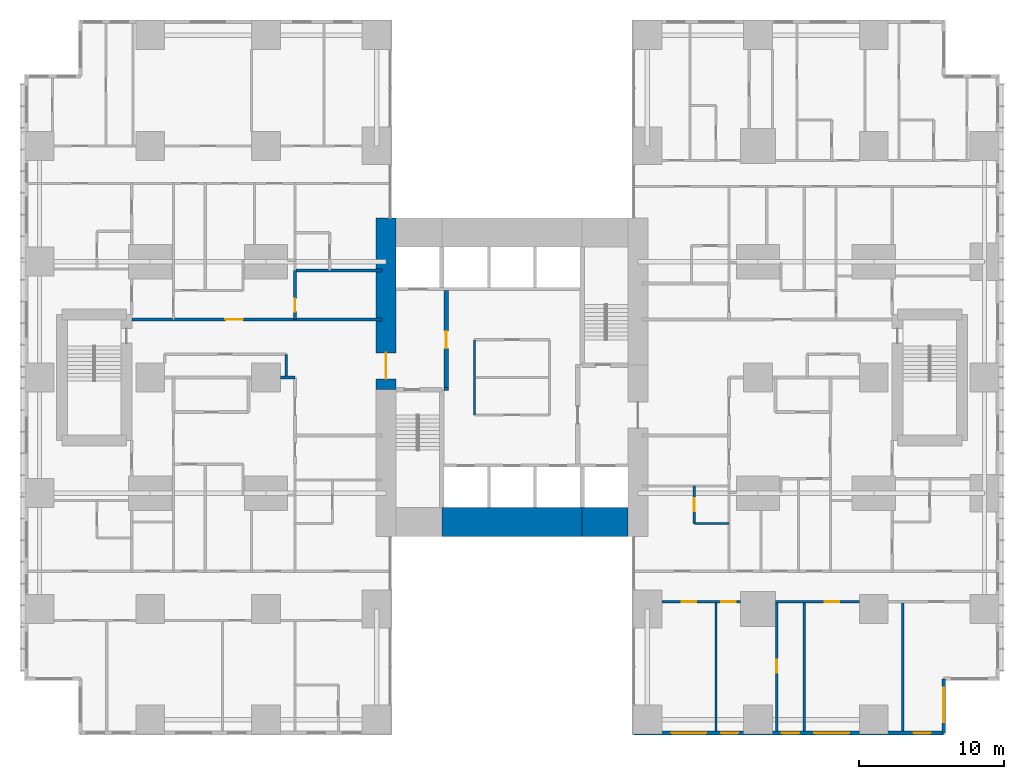
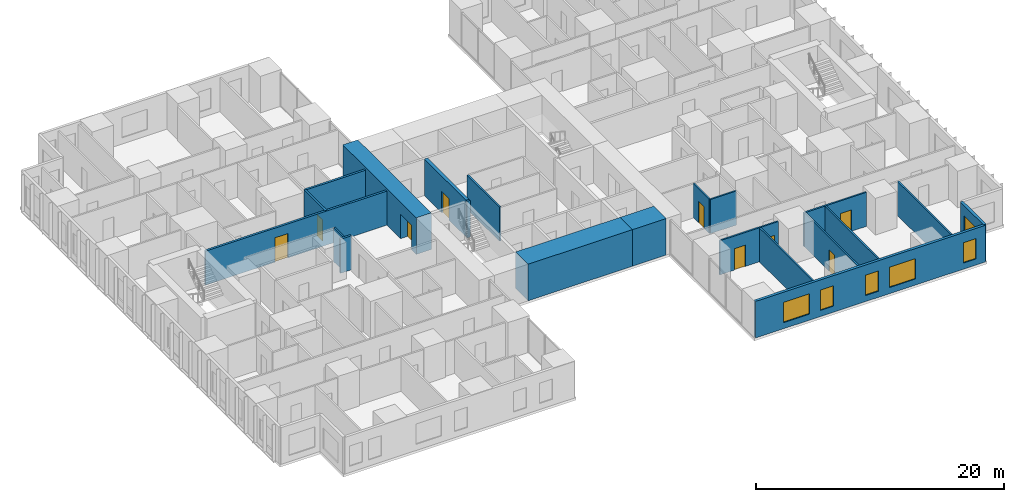
# One storey, part 14 of 21: 21 walls, 9 doors, 6 windows, 15 openings.
"""IFC4 building model written with IfcOpenShell, lengths in metres."""

from ifc_helpers import new_model, si_unit, direction, frame, frame_2d, origin, place, context, subcontext, project, spatial, rectangle, extrude, material, layer, layer_set, type_object, element, fill, save


model = new_model("IFC4")

# Units and contexts
model_context = context("Model", 3, precision=1e-05, world=origin(), true_north=direction((0.0, 1.0)))
body_context = subcontext(model_context, "Body", "Model", "MODEL_VIEW")
ifc_project = project(units=[si_unit("LENGTHUNIT", "METRE"), si_unit("AREAUNIT", "SQUARE_METRE"), si_unit("VOLUMEUNIT", "CUBIC_METRE"), si_unit("PLANEANGLEUNIT", "RADIAN"), si_unit("MASSUNIT", "GRAM", prefix="KILO")], contexts=[model_context])

# Site, building, storey
site_placement = place(None, origin())
site = spatial("IfcSite", under=ifc_project, at=site_placement, CompositionType="ELEMENT")
building_placement = place(site_placement, origin())
building = spatial("IfcBuilding", under=site, at=building_placement, Name="Cleftline Residences", CompositionType="ELEMENT")
storey_placement = place(building_placement, frame((0.0, 0.0, 58.39990234375)))
storey = spatial("IfcBuildingStorey", under=building, at=storey_placement, Name="L14", CompositionType="ELEMENT", Elevation=58.39990234375)

# Wall, opening, door
ifc_material_1 = material(Name="Concrete B70", Category="concrete")
ifc_layer_1 = layer(ifc_material_1, 1.39990234375)
ifc_layer_set_1 = layer_set([ifc_layer_1], Name="CORE WALL 1400")
wall_type_1 = type_object("IfcWallType", Name="CORE WALL 1400", PredefinedType="SHEAR", material=ifc_layer_set_1)
wall_1_placement = place(storey_placement, frame((24.300048828125, 23.14990234375, 0.0), z_axis=(0.0, 0.0, 1.0), x_axis=(0.0, 1.0, 0.0)))
wall_1 = element("IfcWall", 1, at=wall_1_placement, inside=storey, type_object=wall_type_1, Name="Core wall W", PredefinedType="SHEAR", context=body_context, shape_type="SweptSolid", body=[
    extrude(rectangle(XDim=11.85009765625, YDim=1.39990234375, at=frame_2d((5.925048828125, 0.0))), origin(), (0.0, 0.0, 1.0), 3.60009765625),
])
opening_1_placement = place(wall_1_placement, frame((0.75, 0.0, 0.0)))
opening_1 = element("IfcOpeningElement", 2, at=opening_1_placement, cuts=wall_1, Name="Opening D7", PredefinedType="OPENING", context=body_context, shape_type="SweptSolid", body=[
    extrude(rectangle(XDim=1.800048828125, YDim=2.39990234375, at=frame_2d((0.89990234375, 1.199951171875))), frame((0.0, 0.7099609375, 0.0), z_axis=(0.0, -1.0, 0.0), x_axis=(1.0, 0.0, 0.0)), (0.0, 0.0, 1.0), 1.419921875),
])
ifc_material_2 = material(Name="Steel", Category="steel")
door_type_1 = type_object("IfcDoorType", Name="WING DOOR 1800X2400", OperationType="DOUBLE_DOOR_DOUBLE_SWING", PredefinedType="DOOR", material=ifc_material_2)
door_1_placement = place(opening_1_placement, origin())
door_1 = element("IfcDoor", 3, at=door_1_placement, inside=storey, type_object=door_type_1, Name="West wing door", OperationType="DOUBLE_DOOR_DOUBLE_SWING", OverallHeight=2.39990234375, OverallWidth=1.800048828125, PredefinedType="DOOR", context=body_context, shape_type="SweptSolid", body=[
    extrude(rectangle(XDim=1.800048828125, YDim=2.39990234375, at=frame_2d((0.89990234375, 1.199951171875))), frame((0.0, 0.02490234375, 0.0), z_axis=(0.0, -1.0, 0.0), x_axis=(1.0, 0.0, 0.0)), (0.0, 0.0, 1.0), 0.050048828125),
])
fill(opening_1, door_1)

# Walls
ifc_material_3 = material(Name="Concrete B70", Category="concrete")
ifc_layer_2 = layer(ifc_material_3, 2.0)
ifc_layer_set_2 = layer_set([ifc_layer_2], Name="CORE WALL 2000")
wall_type_2 = type_object("IfcWallType", Name="CORE WALL 2000", PredefinedType="SHEAR", material=ifc_layer_set_2)
wall_2_placement = place(storey_placement, frame((28.14990234375, 14.0, 0.0), z_axis=(0.0, 0.0, 1.0), x_axis=(1.0, 0.0, 0.0)))
element("IfcWall", 4, at=wall_2_placement, inside=storey, type_object=wall_type_2, Name="Core wall S2", PredefinedType="SHEAR", context=body_context, shape_type="SweptSolid", body=[
    extrude(rectangle(XDim=9.7001953125, YDim=2.0, at=frame_2d((4.85009765625, 0.0))), origin(), (0.0, 0.0, 1.0), 3.60009765625),
])
wall_3_placement = place(storey_placement, frame((37.85009765625, 14.0, 0.0), z_axis=(0.0, 0.0, 1.0), x_axis=(1.0, 0.0, 0.0)))
element("IfcWall", 5, at=wall_3_placement, inside=storey, type_object=wall_type_2, Name="Core wall S3", PredefinedType="SHEAR", context=body_context, shape_type="SweptSolid", body=[
    extrude(rectangle(XDim=3.14990234375, YDim=2.0, at=frame_2d((1.574951171875, 0.0))), origin(), (0.0, 0.0, 1.0), 3.60009765625),
])

# Wall, openings, windows
ifc_material_4 = material(Name="Rendered reinforced concrete blockwork", Category="masonry")
ifc_layer_3 = layer(ifc_material_4, 0.25)
ifc_layer_set_3 = layer_set([ifc_layer_3], Name="EXTERNAL WALL 250")
wall_type_3 = type_object("IfcWallType", Name="EXTERNAL WALL 250", PredefinedType="SOLIDWALL", material=ifc_layer_set_3)
wall_4_placement = place(storey_placement, frame((41.425048828125, -0.574951171875, 0.0), z_axis=(0.0, 0.0, 1.0), x_axis=(1.0, 0.0, 0.0)))
wall_4 = element("IfcWall", 6, at=wall_4_placement, inside=storey, type_object=wall_type_3, Name="External wall", PredefinedType="SOLIDWALL", context=body_context, shape_type="SweptSolid", body=[
    extrude(rectangle(XDim=21.39990234375, YDim=0.25, at=frame_2d((10.699951171875, 0.0))), origin(), (0.0, 0.0, 1.0), 3.60009765625),
])
opening_2_placement = place(wall_4_placement, frame((2.60009765625, 0.0, 0.60009765625)))
opening_2 = element("IfcOpeningElement", 7, at=opening_2_placement, cuts=wall_4, Name="Opening W6", PredefinedType="OPENING", context=body_context, shape_type="SweptSolid", body=[
    extrude(rectangle(XDim=2.39990234375, YDim=2.0, at=frame_2d((1.199951171875, 1.0))), frame((0.0, 0.135009765625, 0.0), z_axis=(0.0, -1.0, 0.0), x_axis=(1.0, 0.0, 0.0)), (0.0, 0.0, 1.0), 0.27001953125),
])
opening_3_placement = place(wall_4_placement, frame((6.02490234375, 0.0, 0.60009765625)))
opening_3 = element("IfcOpeningElement", 8, at=opening_3_placement, cuts=wall_4, Name="Opening W8", PredefinedType="OPENING", context=body_context, shape_type="SweptSolid", body=[
    extrude(rectangle(XDim=1.199951171875, YDim=2.0, at=frame_2d((0.60009765625, 1.0))), frame((0.0, 0.135009765625, 0.0), z_axis=(0.0, -1.0, 0.0), x_axis=(1.0, 0.0, 0.0)), (0.0, 0.0, 1.0), 0.27001953125),
])
opening_4_placement = place(wall_4_placement, frame((10.22509765625, 0.0, 0.60009765625)))
opening_4 = element("IfcOpeningElement", 9, at=opening_4_placement, cuts=wall_4, Name="Opening W8", PredefinedType="OPENING", context=body_context, shape_type="SweptSolid", body=[
    extrude(rectangle(XDim=1.199951171875, YDim=2.0, at=frame_2d((0.60009765625, 1.0))), frame((0.0, 0.135009765625, 0.0), z_axis=(0.0, -1.0, 0.0), x_axis=(1.0, 0.0, 0.0)), (0.0, 0.0, 1.0), 0.27001953125),
])
opening_5_placement = place(wall_4_placement, frame((12.47509765625, 0.0, 0.60009765625)))
opening_5 = element("IfcOpeningElement", 10, at=opening_5_placement, cuts=wall_4, Name="Opening W6", PredefinedType="OPENING", context=body_context, shape_type="SweptSolid", body=[
    extrude(rectangle(XDim=2.39990234375, YDim=2.0, at=frame_2d((1.199951171875, 1.0))), frame((0.0, 0.135009765625, 0.0), z_axis=(0.0, -1.0, 0.0), x_axis=(1.0, 0.0, 0.0)), (0.0, 0.0, 1.0), 0.27001953125),
])
opening_6_placement = place(wall_4_placement, frame((19.324951171875, 0.0, 0.60009765625)))
opening_6 = element("IfcOpeningElement", 11, at=opening_6_placement, cuts=wall_4, Name="Opening W8", PredefinedType="OPENING", context=body_context, shape_type="SweptSolid", body=[
    extrude(rectangle(XDim=1.199951171875, YDim=2.0, at=frame_2d((0.60009765625, 1.0))), frame((0.0, 0.135009765625, 0.0), z_axis=(0.0, -1.0, 0.0), x_axis=(1.0, 0.0, 0.0)), (0.0, 0.0, 1.0), 0.27001953125),
])
ifc_material_5 = material(Name="Aluminium frame, clear double glazing", Category="aluminium")
window_type_1 = type_object("IfcWindowType", Name="WINDOW 1200X2000", PartitioningType="DOUBLE_PANEL_VERTICAL", PredefinedType="WINDOW", material=ifc_material_5)
window_1_placement = place(opening_3_placement, origin())
window_1 = element("IfcWindow", 12, at=window_1_placement, inside=storey, type_object=window_type_1, Name="Window", OverallHeight=2.0, OverallWidth=1.199951171875, PartitioningType="SINGLE_PANEL", PredefinedType="WINDOW", context=body_context, shape_type="SweptSolid", body=[
    extrude(rectangle(XDim=1.199951171875, YDim=2.0, at=frame_2d((0.60009765625, 1.0))), frame((0.0, 0.030029296875, 0.0), z_axis=(0.0, -1.0, 0.0), x_axis=(1.0, 0.0, 0.0)), (0.0, 0.0, 1.0), 0.06005859375),
])
fill(opening_3, window_1)
window_2_placement = place(opening_4_placement, origin())
window_2 = element("IfcWindow", 13, at=window_2_placement, inside=storey, type_object=window_type_1, Name="Window", OverallHeight=2.0, OverallWidth=1.199951171875, PartitioningType="SINGLE_PANEL", PredefinedType="WINDOW", context=body_context, shape_type="SweptSolid", body=[
    extrude(rectangle(XDim=1.199951171875, YDim=2.0, at=frame_2d((0.60009765625, 1.0))), frame((0.0, 0.030029296875, 0.0), z_axis=(0.0, -1.0, 0.0), x_axis=(1.0, 0.0, 0.0)), (0.0, 0.0, 1.0), 0.06005859375),
])
fill(opening_4, window_2)
window_3_placement = place(opening_6_placement, origin())
window_3 = element("IfcWindow", 14, at=window_3_placement, inside=storey, type_object=window_type_1, Name="Window", OverallHeight=2.0, OverallWidth=1.199951171875, PartitioningType="SINGLE_PANEL", PredefinedType="WINDOW", context=body_context, shape_type="SweptSolid", body=[
    extrude(rectangle(XDim=1.199951171875, YDim=2.0, at=frame_2d((0.60009765625, 1.0))), frame((0.0, 0.030029296875, 0.0), z_axis=(0.0, -1.0, 0.0), x_axis=(1.0, 0.0, 0.0)), (0.0, 0.0, 1.0), 0.06005859375),
])
fill(opening_6, window_3)
ifc_material_6 = material(Name="Aluminium frame, clear double glazing", Category="aluminium")
window_type_2 = type_object("IfcWindowType", Name="WINDOW 2400X2000", PartitioningType="DOUBLE_PANEL_VERTICAL", PredefinedType="WINDOW", material=ifc_material_6)
window_4_placement = place(opening_2_placement, origin())
window_4 = element("IfcWindow", 15, at=window_4_placement, inside=storey, type_object=window_type_2, Name="Window", OverallHeight=2.0, OverallWidth=2.39990234375, PartitioningType="SINGLE_PANEL", PredefinedType="WINDOW", context=body_context, shape_type="SweptSolid", body=[
    extrude(rectangle(XDim=2.39990234375, YDim=2.0, at=frame_2d((1.199951171875, 1.0))), frame((0.0, 0.030029296875, 0.0), z_axis=(0.0, -1.0, 0.0), x_axis=(1.0, 0.0, 0.0)), (0.0, 0.0, 1.0), 0.06005859375),
])
fill(opening_2, window_4)
window_5_placement = place(opening_5_placement, origin())
window_5 = element("IfcWindow", 16, at=window_5_placement, inside=storey, type_object=window_type_2, Name="Window", OverallHeight=2.0, OverallWidth=2.39990234375, PartitioningType="SINGLE_PANEL", PredefinedType="WINDOW", context=body_context, shape_type="SweptSolid", body=[
    extrude(rectangle(XDim=2.39990234375, YDim=2.0, at=frame_2d((1.199951171875, 1.0))), frame((0.0, 0.030029296875, 0.0), z_axis=(0.0, -1.0, 0.0), x_axis=(1.0, 0.0, 0.0)), (0.0, 0.0, 1.0), 0.06005859375),
])
fill(opening_5, window_5)

# Wall, opening, window
wall_5_placement = place(storey_placement, frame((62.824951171875, -0.574951171875, 0.0), z_axis=(0.0, 0.0, 1.0), x_axis=(0.0, 1.0, 0.0)))
wall_5 = element("IfcWall", 17, at=wall_5_placement, inside=storey, type_object=wall_type_3, Name="External wall", PredefinedType="SOLIDWALL", context=body_context, shape_type="SweptSolid", body=[
    extrude(rectangle(XDim=3.75, YDim=0.25, at=frame_2d((1.875, 0.0))), origin(), (0.0, 0.0, 1.0), 3.60009765625),
])
opening_7_placement = place(wall_5_placement, frame((0.737548828125, 0.0, 0.60009765625)))
opening_7 = element("IfcOpeningElement", 18, at=opening_7_placement, cuts=wall_5, Name="Opening W6", PredefinedType="OPENING", context=body_context, shape_type="SweptSolid", body=[
    extrude(rectangle(XDim=2.39990234375, YDim=2.0, at=frame_2d((1.199951171875, 1.0))), frame((0.0, 0.135009765625, 0.0), z_axis=(0.0, -1.0, 0.0), x_axis=(1.0, 0.0, 0.0)), (0.0, 0.0, 1.0), 0.27001953125),
])
window_6_placement = place(opening_7_placement, origin())
window_6 = element("IfcWindow", 19, at=window_6_placement, inside=storey, type_object=window_type_2, Name="Window", OverallHeight=2.0, OverallWidth=2.39990234375, PartitioningType="SINGLE_PANEL", PredefinedType="WINDOW", context=body_context, shape_type="SweptSolid", body=[
    extrude(rectangle(XDim=2.39990234375, YDim=2.0, at=frame_2d((1.199951171875, 1.0))), frame((0.0, 0.030029296875, 0.0), z_axis=(0.0, -1.0, 0.0), x_axis=(1.0, 0.0, 0.0)), (0.0, 0.0, 1.0), 0.06005859375),
])
fill(opening_7, window_6)

# Wall
ifc_material_7 = material(Name="Concrete blockwork, fire rated", Category="masonry")
ifc_layer_4 = layer(ifc_material_7, 0.199951171875)
ifc_layer_set_4 = layer_set([ifc_layer_4], Name="FIRE WALL 200")
wall_type_4 = type_object("IfcWallType", Name="FIRE WALL 200", PredefinedType="PARTITIONING", material=ifc_layer_set_4)
wall_6_placement = place(storey_placement, frame((17.0, 24.0, 0.0), z_axis=(0.0, 0.0, 1.0), x_axis=(1.0, 0.0, 0.0)))
element("IfcWall", 20, at=wall_6_placement, inside=storey, type_object=wall_type_4, Name="Fire separating wall", PredefinedType="PARTITIONING", context=body_context, shape_type="SweptSolid", body=[
    extrude(rectangle(XDim=1.0, YDim=0.199951171875, at=frame_2d((0.5, 0.0))), origin(), (0.0, 0.0, 1.0), 3.35009765625),
])

# Wall, opening, door
wall_7_placement = place(storey_placement, frame((6.72509765625, 28.0, 0.0), z_axis=(0.0, 0.0, 1.0), x_axis=(1.0, 0.0, 0.0)))
wall_7 = element("IfcWall", 21, at=wall_7_placement, inside=storey, type_object=wall_type_4, Name="Fire separating wall", PredefinedType="PARTITIONING", context=body_context, shape_type="SweptSolid", body=[
    extrude(rectangle(XDim=17.27490234375, YDim=0.199951171875, at=frame_2d((8.637451171875, 0.0))), origin(), (0.0, 0.0, 1.0), 3.35009765625),
])
opening_8_placement = place(wall_7_placement, frame((6.47509765625, 0.0, 0.0)))
opening_8 = element("IfcOpeningElement", 22, at=opening_8_placement, cuts=wall_7, Name="Opening D4", PredefinedType="OPENING", context=body_context, shape_type="SweptSolid", body=[
    extrude(rectangle(XDim=1.199951171875, YDim=2.39990234375, at=frame_2d((0.60009765625, 1.199951171875))), frame((0.0, 0.10986328125, 0.0), z_axis=(0.0, -1.0, 0.0), x_axis=(1.0, 0.0, 0.0)), (0.0, 0.0, 1.0), 0.219970703125),
])
ifc_material_8 = material(Name="Timber veneer on solid core", Category="wood")
door_type_2 = type_object("IfcDoorType", Name="APARTMENT ENTRANCE DOOR 1200X2400", OperationType="SINGLE_SWING_RIGHT", PredefinedType="DOOR", material=ifc_material_8)
door_2_placement = place(opening_8_placement, origin())
door_2 = element("IfcDoor", 23, at=door_2_placement, inside=storey, type_object=door_type_2, Name="Door to residence entrance foyer", OperationType="SINGLE_SWING_RIGHT", OverallHeight=2.39990234375, OverallWidth=1.199951171875, PredefinedType="DOOR", context=body_context, shape_type="SweptSolid", body=[
    extrude(rectangle(XDim=1.199951171875, YDim=2.39990234375, at=frame_2d((0.60009765625, 1.199951171875))), frame((0.0, 0.02490234375, 0.0), z_axis=(0.0, -1.0, 0.0), x_axis=(1.0, 0.0, 0.0)), (0.0, 0.0, 1.0), 0.050048828125),
])
fill(opening_8, door_2)

# Wall
wall_8_placement = place(storey_placement, frame((18.0, 31.39990234375, 0.0), z_axis=(0.0, 0.0, 1.0), x_axis=(1.0, 0.0, 0.0)))
element("IfcWall", 24, at=wall_8_placement, inside=storey, type_object=wall_type_4, Name="Fire separating wall", PredefinedType="PARTITIONING", context=body_context, shape_type="SweptSolid", body=[
    extrude(rectangle(XDim=6.0, YDim=0.199951171875, at=frame_2d((3.0, 0.0))), origin(), (0.0, 0.0, 1.0), 3.35009765625),
])

# Wall, opening, door
wall_9_placement = place(storey_placement, frame((18.0, 28.0, 0.0), z_axis=(0.0, 0.0, 1.0), x_axis=(0.0, 1.0, 0.0)))
wall_9 = element("IfcWall", 25, at=wall_9_placement, inside=storey, type_object=wall_type_4, Name="Fire separating wall", PredefinedType="PARTITIONING", context=body_context, shape_type="SweptSolid", body=[
    extrude(rectangle(XDim=3.39990234375, YDim=0.199951171875, at=frame_2d((1.699951171875, 0.0))), origin(), (0.0, 0.0, 1.0), 3.35009765625),
])
opening_9_placement = place(wall_9_placement, frame((0.550048828125, 0.0, 0.0)))
opening_9 = element("IfcOpeningElement", 26, at=opening_9_placement, cuts=wall_9, Name="Opening D1F30", PredefinedType="OPENING", context=body_context, shape_type="SweptSolid", body=[
    extrude(rectangle(XDim=0.89990234375, YDim=2.10009765625, at=frame_2d((0.449951171875, 1.050048828125))), frame((0.0, 0.10986328125, 0.0), z_axis=(0.0, -1.0, 0.0), x_axis=(1.0, 0.0, 0.0)), (0.0, 0.0, 1.0), 0.219970703125),
])
ifc_material_9 = material(Name="Timber veneer on solid core", Category="wood")
door_type_3 = type_object("IfcDoorType", Name="DOOR 900X2100 EI 30", OperationType="SINGLE_SWING_LEFT", PredefinedType="DOOR", material=ifc_material_9)
door_3_placement = place(opening_9_placement, origin())
door_3 = element("IfcDoor", 27, at=door_3_placement, inside=storey, type_object=door_type_3, Name="Door to drying loggia and wc", OperationType="SINGLE_SWING_RIGHT", OverallHeight=2.10009765625, OverallWidth=0.89990234375, PredefinedType="DOOR", context=body_context, shape_type="SweptSolid", body=[
    extrude(rectangle(XDim=0.89990234375, YDim=2.10009765625, at=frame_2d((0.449951171875, 1.050048828125))), frame((0.0, 0.02490234375, 0.0), z_axis=(0.0, -1.0, 0.0), x_axis=(1.0, 0.0, 0.0)), (0.0, 0.0, 1.0), 0.050048828125),
])
fill(opening_9, door_3)

# Wall
wall_10_placement = place(storey_placement, frame((28.300048828125, 23.199951171875, 0.0), z_axis=(0.0, 0.0, 1.0), x_axis=(1.0, 0.0, 0.0)))
element("IfcWall", 28, at=wall_10_placement, inside=storey, type_object=wall_type_4, Name="Fire separating wall", PredefinedType="PARTITIONING", context=body_context, shape_type="SweptSolid", body=[
    extrude(rectangle(XDim=0.300048828125, YDim=0.199951171875, at=frame_2d((0.14990234375, 0.0))), origin(), (0.0, 0.0, 1.0), 3.60009765625),
])

# Wall, openings, doors
ifc_material_10 = material(Name="Gypsum board on steel studs", Category="steel")
ifc_layer_5 = layer(ifc_material_10, 0.14990234375)
ifc_layer_set_5 = layer_set([ifc_layer_5], Name="PARTITION 150")
wall_type_5 = type_object("IfcWallType", Name="PARTITION 150", PredefinedType="PARTITIONING", material=ifc_layer_set_5)
wall_11_placement = place(storey_placement, frame((43.35009765625, 8.5, 0.0), z_axis=(0.0, 0.0, 1.0), x_axis=(1.0, 0.0, 0.0)))
wall_11 = element("IfcWall", 29, at=wall_11_placement, inside=storey, type_object=wall_type_5, Name="Partition", PredefinedType="PARTITIONING", context=body_context, shape_type="SweptSolid", body=[
    extrude(rectangle(XDim=5.449951171875, YDim=0.14990234375, at=frame_2d((2.72509765625, 0.0))), origin(), (0.0, 0.0, 1.0), 3.35009765625),
])
opening_10_placement = place(wall_11_placement, frame((4.10009765625, 0.0, 0.0)))
opening_10 = element("IfcOpeningElement", 30, at=opening_10_placement, cuts=wall_11, Name="Opening D2", PredefinedType="OPENING", context=body_context, shape_type="SweptSolid", body=[
    extrude(rectangle(XDim=1.0, YDim=2.10009765625, at=frame_2d((0.5, 1.050048828125))), frame((0.0, 0.0849609375, 0.0), z_axis=(0.0, -1.0, 0.0), x_axis=(1.0, 0.0, 0.0)), (0.0, 0.0, 1.0), 0.169921875),
])
opening_11_placement = place(wall_11_placement, frame((1.375, 0.0, 0.0)))
opening_11 = element("IfcOpeningElement", 31, at=opening_11_placement, cuts=wall_11, Name="Opening D2", PredefinedType="OPENING", context=body_context, shape_type="SweptSolid", body=[
    extrude(rectangle(XDim=1.0, YDim=2.10009765625, at=frame_2d((0.5, 1.050048828125))), frame((0.0, 0.0849609375, 0.0), z_axis=(0.0, -1.0, 0.0), x_axis=(1.0, 0.0, 0.0)), (0.0, 0.0, 1.0), 0.169921875),
])
ifc_material_11 = material(Name="Timber veneer on solid core", Category="wood")
door_type_4 = type_object("IfcDoorType", Name="DOOR 1000X2100", OperationType="SINGLE_SWING_LEFT", PredefinedType="DOOR", material=ifc_material_11)
door_4_placement = place(opening_10_placement, origin())
door_4 = element("IfcDoor", 32, at=door_4_placement, inside=storey, type_object=door_type_4, Name="Door to bedroom 2", OperationType="SINGLE_SWING_LEFT", OverallHeight=2.10009765625, OverallWidth=1.0, PredefinedType="DOOR", context=body_context, shape_type="SweptSolid", body=[
    extrude(rectangle(XDim=1.0, YDim=2.10009765625, at=frame_2d((0.5, 1.050048828125))), frame((0.0, 0.02490234375, 0.0), z_axis=(0.0, -1.0, 0.0), x_axis=(1.0, 0.0, 0.0)), (0.0, 0.0, 1.0), 0.050048828125),
])
fill(opening_10, door_4)
door_5_placement = place(opening_11_placement, origin())
door_5 = element("IfcDoor", 33, at=door_5_placement, inside=storey, type_object=door_type_4, Name="Door to bedroom 2 sitting room", OperationType="SINGLE_SWING_RIGHT", OverallHeight=2.10009765625, OverallWidth=1.0, PredefinedType="DOOR", context=body_context, shape_type="SweptSolid", body=[
    extrude(rectangle(XDim=1.0, YDim=2.10009765625, at=frame_2d((0.5, 1.050048828125))), frame((0.0, 0.02490234375, 0.0), z_axis=(0.0, -1.0, 0.0), x_axis=(1.0, 0.0, 0.0)), (0.0, 0.0, 1.0), 0.050048828125),
])
fill(opening_11, door_5)

# Wall, opening, door
wall_12_placement = place(storey_placement, frame((51.199951171875, 8.5, 0.0), z_axis=(0.0, 0.0, 1.0), x_axis=(1.0, 0.0, 0.0)))
wall_12 = element("IfcWall", 34, at=wall_12_placement, inside=storey, type_object=wall_type_5, Name="Partition", PredefinedType="PARTITIONING", context=body_context, shape_type="SweptSolid", body=[
    extrude(rectangle(XDim=5.800048828125, YDim=0.14990234375, at=frame_2d((2.89990234375, 0.0))), origin(), (0.0, 0.0, 1.0), 3.35009765625),
])
opening_12_placement = place(wall_12_placement, frame((3.39990234375, 0.0, 0.0)))
opening_12 = element("IfcOpeningElement", 35, at=opening_12_placement, cuts=wall_12, Name="Opening D2", PredefinedType="OPENING", context=body_context, shape_type="SweptSolid", body=[
    extrude(rectangle(XDim=1.0, YDim=2.10009765625, at=frame_2d((0.5, 1.050048828125))), frame((0.0, 0.0849609375, 0.0), z_axis=(0.0, -1.0, 0.0), x_axis=(1.0, 0.0, 0.0)), (0.0, 0.0, 1.0), 0.169921875),
])
door_6_placement = place(opening_12_placement, origin())
door_6 = element("IfcDoor", 36, at=door_6_placement, inside=storey, type_object=door_type_4, Name="Door to living room", OperationType="SINGLE_SWING_LEFT", OverallHeight=2.10009765625, OverallWidth=1.0, PredefinedType="DOOR", context=body_context, shape_type="SweptSolid", body=[
    extrude(rectangle(XDim=1.0, YDim=2.10009765625, at=frame_2d((0.5, 1.050048828125))), frame((0.0, 0.02490234375, 0.0), z_axis=(0.0, -1.0, 0.0), x_axis=(1.0, 0.0, 0.0)), (0.0, 0.0, 1.0), 0.050048828125),
])
fill(opening_12, door_6)

# Walls
wall_13_placement = place(storey_placement, frame((45.60009765625, 13.89990234375, 0.0), z_axis=(0.0, 0.0, 1.0), x_axis=(1.0, 0.0, 0.0)))
element("IfcWall", 37, at=wall_13_placement, inside=storey, type_object=wall_type_5, Name="Partition", PredefinedType="PARTITIONING", context=body_context, shape_type="SweptSolid", body=[
    extrude(rectangle(XDim=2.39990234375, YDim=0.14990234375, at=frame_2d((1.199951171875, 0.0))), origin(), (0.0, 0.0, 1.0), 3.35009765625),
])
wall_14_placement = place(storey_placement, frame((17.39990234375, 24.0, 0.0), z_axis=(0.0, 0.0, 1.0), x_axis=(0.0, 1.0, 0.0)))
element("IfcWall", 38, at=wall_14_placement, inside=storey, type_object=wall_type_5, Name="Partition", PredefinedType="PARTITIONING", context=body_context, shape_type="SweptSolid", body=[
    extrude(rectangle(XDim=1.60009765625, YDim=0.14990234375, at=frame_2d((0.800048828125, 0.0))), origin(), (0.0, 0.0, 1.0), 3.35009765625),
])

# Wall, opening, door
wall_15_placement = place(storey_placement, frame((45.60009765625, 13.89990234375, 0.0), z_axis=(0.0, 0.0, 1.0), x_axis=(0.0, 1.0, 0.0)))
wall_15 = element("IfcWall", 39, at=wall_15_placement, inside=storey, type_object=wall_type_5, Name="Partition", PredefinedType="PARTITIONING", context=body_context, shape_type="SweptSolid", body=[
    extrude(rectangle(XDim=2.60009765625, YDim=0.14990234375, at=frame_2d((1.300048828125, 0.0))), origin(), (0.0, 0.0, 1.0), 3.35009765625),
])
opening_13_placement = place(wall_15_placement, frame((0.85009765625, 0.0, 0.0)))
opening_13 = element("IfcOpeningElement", 40, at=opening_13_placement, cuts=wall_15, Name="Opening D1", PredefinedType="OPENING", context=body_context, shape_type="SweptSolid", body=[
    extrude(rectangle(XDim=0.89990234375, YDim=2.10009765625, at=frame_2d((0.449951171875, 1.050048828125))), frame((0.0, 0.0849609375, 0.0), z_axis=(0.0, -1.0, 0.0), x_axis=(1.0, 0.0, 0.0)), (0.0, 0.0, 1.0), 0.169921875),
])
ifc_material_12 = material(Name="Timber veneer on solid core", Category="wood")
door_type_5 = type_object("IfcDoorType", Name="DOOR 900X2100", OperationType="SINGLE_SWING_LEFT", PredefinedType="DOOR", material=ifc_material_12)
door_7_placement = place(opening_13_placement, origin())
door_7 = element("IfcDoor", 41, at=door_7_placement, inside=storey, type_object=door_type_5, Name="Door to en-suite bathroom 3", OperationType="SINGLE_SWING_LEFT", OverallHeight=2.10009765625, OverallWidth=0.89990234375, PredefinedType="DOOR", context=body_context, shape_type="SweptSolid", body=[
    extrude(rectangle(XDim=0.89990234375, YDim=2.10009765625, at=frame_2d((0.449951171875, 1.050048828125))), frame((0.0, 0.02490234375, 0.0), z_axis=(0.0, -1.0, 0.0), x_axis=(1.0, 0.0, 0.0)), (0.0, 0.0, 1.0), 0.050048828125),
])
fill(opening_13, door_7)

# Wall
wall_16_placement = place(storey_placement, frame((47.10009765625, -0.449951171875, 0.0), z_axis=(0.0, 0.0, 1.0), x_axis=(0.0, 1.0, 0.0)))
element("IfcWall", 42, at=wall_16_placement, inside=storey, type_object=wall_type_5, Name="Partition", PredefinedType="PARTITIONING", context=body_context, shape_type="SweptSolid", body=[
    extrude(rectangle(XDim=8.949951171875, YDim=0.14990234375, at=frame_2d((4.47509765625, 0.0))), origin(), (0.0, 0.0, 1.0), 3.35009765625),
])

# Wall, opening, door
wall_17_placement = place(storey_placement, frame((51.300048828125, -0.449951171875, 0.0), z_axis=(0.0, 0.0, 1.0), x_axis=(0.0, 1.0, 0.0)))
wall_17 = element("IfcWall", 43, at=wall_17_placement, inside=storey, type_object=wall_type_5, Name="Partition", PredefinedType="PARTITIONING", context=body_context, shape_type="SweptSolid", body=[
    extrude(rectangle(XDim=8.949951171875, YDim=0.14990234375, at=frame_2d((4.47509765625, 0.0))), origin(), (0.0, 0.0, 1.0), 3.35009765625),
])
opening_14_placement = place(wall_17_placement, frame((4.02490234375, 0.0, 0.0)))
opening_14 = element("IfcOpeningElement", 44, at=opening_14_placement, cuts=wall_17, Name="Opening D1", PredefinedType="OPENING", context=body_context, shape_type="SweptSolid", body=[
    extrude(rectangle(XDim=0.89990234375, YDim=2.10009765625, at=frame_2d((0.449951171875, 1.050048828125))), frame((0.0, 0.0849609375, 0.0), z_axis=(0.0, -1.0, 0.0), x_axis=(1.0, 0.0, 0.0)), (0.0, 0.0, 1.0), 0.169921875),
])
door_8_placement = place(opening_14_placement, origin())
door_8 = element("IfcDoor", 45, at=door_8_placement, inside=storey, type_object=door_type_5, Name="Door to en-suite bathroom 2", OperationType="SINGLE_SWING_LEFT", OverallHeight=2.10009765625, OverallWidth=0.89990234375, PredefinedType="DOOR", context=body_context, shape_type="SweptSolid", body=[
    extrude(rectangle(XDim=0.89990234375, YDim=2.10009765625, at=frame_2d((0.449951171875, 1.050048828125))), frame((0.0, 0.02490234375, 0.0), z_axis=(0.0, -1.0, 0.0), x_axis=(1.0, 0.0, 0.0)), (0.0, 0.0, 1.0), 0.050048828125),
])
fill(opening_14, door_8)

# Walls
for number, where, z_axis, x_axis, name in (
    (46, (53.199951171875, -0.449951171875, 0.0), (0.0, 0.0, 1.0), (0.0, 1.0, 0.0), "Partition"),
    (47, (60.0, -0.449951171875, 0.0), (0.0, 0.0, 1.0), (0.0, 1.0, 0.0), "Partition"),
):
    element("IfcWall", number, at=place(storey_placement, frame(where, z_axis=z_axis, x_axis=x_axis)), inside=storey, type_object=wall_type_5, Name=name, PredefinedType="PARTITIONING", context=body_context, shape_type="SweptSolid", body=[
        extrude(rectangle(XDim=8.949951171875, YDim=0.14990234375, at=frame_2d((4.47509765625, 0.0))), origin(), (0.0, 0.0, 1.0), 3.35009765625),
    ])
ifc_material_13 = material(Name="Fire-resisting gypsum board on steel studs", Category="steel")
ifc_layer_6 = layer(ifc_material_13, 0.14990234375)
ifc_layer_set_6 = layer_set([ifc_layer_6], Name="PARTITION 150 EI 60")
wall_type_6 = type_object("IfcWallType", Name="PARTITION 150 EI 60", PredefinedType="PARTITIONING", material=ifc_layer_set_6)
wall_18_placement = place(storey_placement, frame((30.39990234375, 21.39990234375, 0.0), z_axis=(0.0, 0.0, 1.0), x_axis=(0.0, 1.0, 0.0)))
element("IfcWall", 48, at=wall_18_placement, inside=storey, type_object=wall_type_6, Name="Core room partition", PredefinedType="PARTITIONING", context=body_context, shape_type="SweptSolid", body=[
    extrude(rectangle(XDim=5.2001953125, YDim=0.14990234375, at=frame_2d((2.60009765625, 0.0))), origin(), (0.0, 0.0, 1.0), 3.35009765625),
])

# Wall, opening, door
ifc_material_14 = material(Name="Concrete blockwork, fire rated", Category="masonry")
ifc_layer_7 = layer(ifc_material_14, 0.300048828125)
ifc_layer_set_7 = layer_set([ifc_layer_7], Name="STAIR LOBBY WALL 300")
wall_type_7 = type_object("IfcWallType", Name="STAIR LOBBY WALL 300", PredefinedType="PARTITIONING", material=ifc_layer_set_7)
wall_19_placement = place(storey_placement, frame((28.449951171875, 23.300048828125, 0.0), z_axis=(0.0, 0.0, 1.0), x_axis=(0.0, 1.0, 0.0)))
wall_19 = element("IfcWall", 49, at=wall_19_placement, inside=storey, type_object=wall_type_7, Name="Stair and lobby wall FA-E", PredefinedType="PARTITIONING", context=body_context, shape_type="SweptSolid", body=[
    extrude(rectangle(XDim=6.699951171875, YDim=0.300048828125, at=frame_2d((3.35009765625, 0.0))), origin(), (0.0, 0.0, 1.0), 3.60009765625),
])
opening_15_placement = place(wall_19_placement, frame((2.699951171875, 0.0, 0.0)))
opening_15 = element("IfcOpeningElement", 50, at=opening_15_placement, cuts=wall_19, Name="Opening D6", PredefinedType="OPENING", context=body_context, shape_type="SweptSolid", body=[
    extrude(rectangle(XDim=1.199951171875, YDim=2.10009765625, at=frame_2d((0.60009765625, 1.050048828125))), frame((0.0, 0.159912109375, 0.0), z_axis=(0.0, -1.0, 0.0), x_axis=(1.0, 0.0, 0.0)), (0.0, 0.0, 1.0), 0.320068359375),
])
ifc_material_15 = material(Name="Steel", Category="steel")
door_type_6 = type_object("IfcDoorType", Name="LOBBY DOOR 1200X2100", OperationType="SINGLE_SWING_RIGHT", PredefinedType="DOOR", material=ifc_material_15)
door_9_placement = place(opening_15_placement, origin())
door_9 = element("IfcDoor", 51, at=door_9_placement, inside=storey, type_object=door_type_6, Name="Firefighting lobby A door", OperationType="SINGLE_SWING_RIGHT", OverallHeight=2.10009765625, OverallWidth=1.199951171875, PredefinedType="DOOR", context=body_context, shape_type="SweptSolid", body=[
    extrude(rectangle(XDim=1.199951171875, YDim=2.10009765625, at=frame_2d((0.60009765625, 1.050048828125))), frame((0.0, 0.02490234375, 0.0), z_axis=(0.0, -1.0, 0.0), x_axis=(1.0, 0.0, 0.0)), (0.0, 0.0, 1.0), 0.050048828125),
])
fill(opening_15, door_9)

save(model, "model.ifc")
